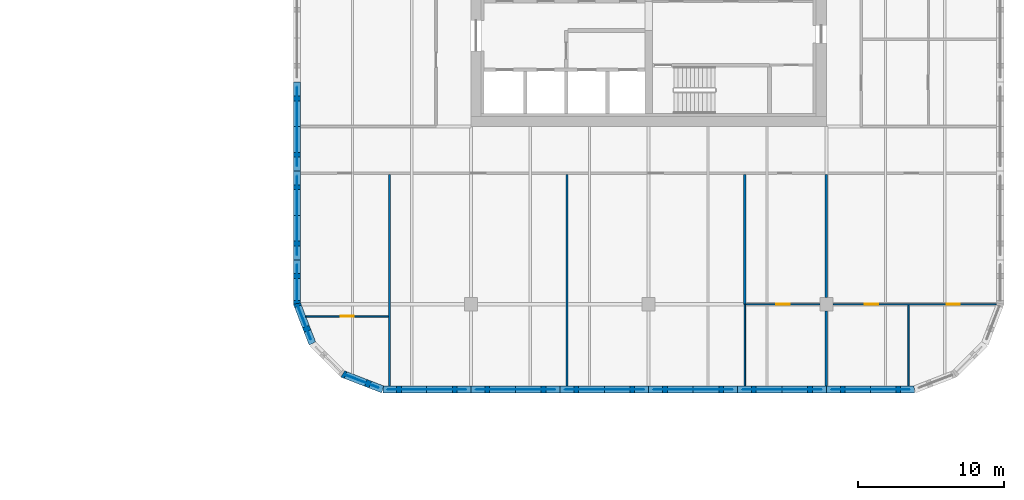
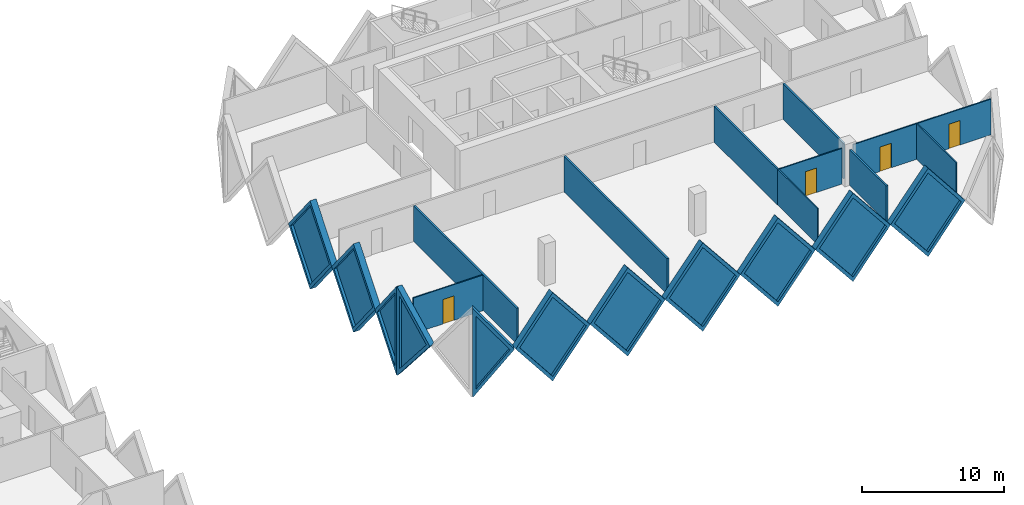
# One storey, part 11 of 18: 21 walls, 11 plates, 4 doors, 15 openings.
"""IFC4 building model written with IfcOpenShell, lengths in metres."""

from ifc_helpers import new_model, si_unit, direction, frame, frame_2d, origin, place, context, subcontext, project, spatial, polyline, rectangle, outline, extrude, faceted_brep, source, transform, mapped, material, layer, layer_set, type_object, element, fill, save


model = new_model("IFC4")

# Units and contexts
model_context = context("Model", 3, precision=1e-05, world=origin(), true_north=direction((0.0, 1.0)))
body_context = subcontext(model_context, "Body", "Model", "MODEL_VIEW")
ifc_project = project(units=[si_unit("LENGTHUNIT", "METRE"), si_unit("AREAUNIT", "SQUARE_METRE"), si_unit("VOLUMEUNIT", "CUBIC_METRE"), si_unit("PLANEANGLEUNIT", "RADIAN"), si_unit("MASSUNIT", "GRAM", prefix="KILO")], contexts=[model_context])

# Site, building, storey
site_placement = place(None, origin())
site = spatial("IfcSite", under=ifc_project, at=site_placement, CompositionType="ELEMENT")
building_placement = place(site_placement, origin())
building = spatial("IfcBuilding", under=site, at=building_placement, Name="Tessera Gate Towers", CompositionType="ELEMENT")
storey_placement = place(building_placement, frame((0.0, 0.0, 37.199951171875)))
storey = spatial("IfcBuildingStorey", under=building, at=storey_placement, Name="L08", CompositionType="ELEMENT", Elevation=37.199951171875)

# Wall
ifc_material_1 = material(Name="Glass", Category="glass")
ifc_layer_1 = layer(ifc_material_1, 0.10009765625)
ifc_layer_set_1 = layer_set([ifc_layer_1], Name="GLAZED PARTITION 100")
wall_type_1 = type_object("IfcWallType", Name="GLAZED PARTITION 100", PredefinedType="PARTITIONING", material=ifc_layer_set_1)
wall_1_placement = place(storey_placement, frame((116.39990234375, 18.800048828125, 0.0), z_axis=(0.0, 0.0, 1.0), x_axis=(0.0, 1.0, 0.0)))
element("IfcWall", 1, at=wall_1_placement, inside=storey, type_object=wall_type_1, Name="T2-L08-PW-003", PredefinedType="PARTITIONING", context=body_context, shape_type="SweptSolid", body=[
    extrude(rectangle(XDim=5.598876953125, YDim=0.10009765625, at=frame_2d((2.79931640625, 0.0))), origin(), (0.0, 0.0, 1.0), 3.067138671875),
])

# Wall, opening, door
wall_2_placement = place(storey_placement, frame((121.549072265625, 24.39990234375, 0.0), z_axis=(0.0, 0.0, 1.0), x_axis=(-1.0, 0.0, 0.0)))
wall_2 = element("IfcWall", 2, at=wall_2_placement, inside=storey, type_object=wall_type_1, Name="T2-L08-PW-008", PredefinedType="PARTITIONING", context=body_context, shape_type="SweptSolid", body=[
    extrude(rectangle(XDim=5.072998046875, YDim=0.10009765625, at=frame_2d((2.53662109375, 0.0))), origin(), (0.0, 0.0, 1.0), 3.067138671875),
])
shared_shape_1 = source(origin(), body_context, "Body", "SweptSolid", [
    extrude(rectangle(XDim=0.89990234375, YDim=2.10009765625, at=frame_2d((0.449951171875, 1.050048828125))), frame((0.0, 0.06005859375, 0.0), z_axis=(0.0, -1.0, 0.0), x_axis=(1.0, 0.0, 0.0)), (0.0, 0.0, 1.0), 0.1201171875),
])
opening_1_placement = place(wall_2_placement, frame((2.072998046875, 0.0, 0.0)))
opening_1 = element("IfcOpeningElement", 3, at=opening_1_placement, cuts=wall_2, Name="Opening D690-B04-01", PredefinedType="OPENING", context=body_context, shape_type="MappedRepresentation", body=[
    mapped(shared_shape_1, transform((0.0, 0.0, 0.0), scale=1.0)),
])
ifc_material_2 = material(Name="Glass in aluminium frame", Category="aluminium")
door_type_1 = type_object("IfcDoorType", Name="GLAZED DOOR 900 NOT RATED", OperationType="NOTDEFINED", PredefinedType="DOOR", material=ifc_material_2)
shared_shape_2 = source(origin(), body_context, "Body", "SweptSolid", [
    extrude(rectangle(XDim=0.89990234375, YDim=2.10009765625, at=frame_2d((0.449951171875, 1.050048828125))), frame((0.0, 0.02490234375, 0.0), z_axis=(0.0, -1.0, 0.0), x_axis=(1.0, 0.0, 0.0)), (0.0, 0.0, 1.0), 0.050048828125),
])
door_1_placement = place(opening_1_placement, origin())
door_1 = element("IfcDoor", 4, at=door_1_placement, inside=storey, type_object=door_type_1, Name="T2-L08-PD-002", OperationType="SINGLE_SWING_RIGHT", OverallHeight=2.10009765625, OverallWidth=0.89990234375, PredefinedType="DOOR", context=body_context, shape_type="MappedRepresentation", body=[
    mapped(shared_shape_2, transform((0.0, 0.0, 0.0), scale=1.0)),
])
fill(opening_1, door_1)

# Wall
ifc_material_3 = material(Name="Gypsum board on steel studs", Category="steel")
ifc_layer_2 = layer(ifc_material_3, 0.10009765625)
ifc_layer_set_2 = layer_set([ifc_layer_2], Name="PARTITION 100")
wall_type_2 = type_object("IfcWallType", Name="PARTITION 100", PredefinedType="PARTITIONING", material=ifc_layer_set_2)
wall_3_placement = place(storey_placement, frame((127.652099609375, 18.800048828125, 0.0), z_axis=(0.0, 0.0, 1.0), x_axis=(0.0, 1.0, 0.0)))
element("IfcWall", 5, at=wall_3_placement, inside=storey, type_object=wall_type_2, Name="T2-L08-PW-005", PredefinedType="PARTITIONING", context=body_context, shape_type="SweptSolid", body=[
    extrude(rectangle(XDim=5.549072265625, YDim=0.10009765625, at=frame_2d((2.7744140625, 0.0))), origin(), (0.0, 0.0, 1.0), 3.067138671875),
])

# Wall, opening, door
wall_4_placement = place(storey_placement, frame((91.924072265625, 23.574951171875, 0.0), z_axis=(0.0, 0.0, 1.0), x_axis=(-1.0, 0.0, 0.0)))
wall_4 = element("IfcWall", 6, at=wall_4_placement, inside=storey, type_object=wall_type_2, Name="T2-L08-PW-006", PredefinedType="PARTITIONING", context=body_context, shape_type="SweptSolid", body=[
    extrude(rectangle(XDim=5.669921875, YDim=0.10009765625, at=frame_2d((2.8349609375, 0.0))), origin(), (0.0, 0.0, 1.0), 3.067138671875),
])
opening_2_placement = place(wall_4_placement, frame((2.369873046875, 0.0, 0.0)))
opening_2 = element("IfcOpeningElement", 7, at=opening_2_placement, cuts=wall_4, Name="Opening D190-B04-02", PredefinedType="OPENING", context=body_context, shape_type="MappedRepresentation", body=[
    mapped(shared_shape_1, transform((0.0, 0.0, 0.0), scale=1.0)),
])
ifc_material_4 = material(Name="Timber door leaf in steel frame", Category="steel")
door_type_2 = type_object("IfcDoorType", Name="INTERNAL DOOR 900 NOT RATED", OperationType="NOTDEFINED", PredefinedType="DOOR", material=ifc_material_4)
door_2_placement = place(opening_2_placement, origin())
door_2 = element("IfcDoor", 8, at=door_2_placement, inside=storey, type_object=door_type_2, Name="T2-L08-PD-006", OperationType="SINGLE_SWING_RIGHT", OverallHeight=2.10009765625, OverallWidth=0.89990234375, PredefinedType="DOOR", context=body_context, shape_type="MappedRepresentation", body=[
    mapped(shared_shape_2, transform((0.0, 0.0, 0.0), scale=1.0)),
])
fill(opening_2, door_2)

# Wall, openings, doors
wall_5_placement = place(storey_placement, frame((133.6640625, 24.39990234375, 0.0), z_axis=(0.0, 0.0, 1.0), x_axis=(-1.0, 0.0, 0.0)))
wall_5 = element("IfcWall", 9, at=wall_5_placement, inside=storey, type_object=wall_type_2, Name="T2-L08-PW-009", PredefinedType="PARTITIONING", context=body_context, shape_type="SweptSolid", body=[
    extrude(rectangle(XDim=11.213134765625, YDim=0.10009765625, at=frame_2d((5.6064453125, 0.0))), origin(), (0.0, 0.0, 1.0), 3.067138671875),
])
opening_3_placement = place(wall_5_placement, frame((8.113037109375, 0.0, 0.0)))
opening_3 = element("IfcOpeningElement", 10, at=opening_3_placement, cuts=wall_5, Name="Opening D190-B04-01", PredefinedType="OPENING", context=body_context, shape_type="MappedRepresentation", body=[
    mapped(shared_shape_1, transform((0.0, 0.0, 0.0), scale=1.0)),
])
opening_4_placement = place(wall_5_placement, frame((2.511962890625, 0.0, 0.0)))
opening_4 = element("IfcOpeningElement", 11, at=opening_4_placement, cuts=wall_5, Name="Opening D190-B04-03", PredefinedType="OPENING", context=body_context, shape_type="MappedRepresentation", body=[
    mapped(shared_shape_1, transform((0.0, 0.0, 0.0), scale=1.0)),
])
door_3_placement = place(opening_3_placement, origin())
door_3 = element("IfcDoor", 12, at=door_3_placement, inside=storey, type_object=door_type_2, Name="T2-L08-PD-003", OperationType="SINGLE_SWING_RIGHT", OverallHeight=2.10009765625, OverallWidth=0.89990234375, PredefinedType="DOOR", context=body_context, shape_type="MappedRepresentation", body=[
    mapped(shared_shape_2, transform((0.0, 0.0, 0.0), scale=1.0)),
])
fill(opening_3, door_3)
door_4_placement = place(opening_4_placement, origin())
door_4 = element("IfcDoor", 13, at=door_4_placement, inside=storey, type_object=door_type_2, Name="T2-L08-PD-008", OperationType="SINGLE_SWING_RIGHT", OverallHeight=2.10009765625, OverallWidth=0.89990234375, PredefinedType="DOOR", context=body_context, shape_type="MappedRepresentation", body=[
    mapped(shared_shape_2, transform((0.0, 0.0, 0.0), scale=1.0)),
])
fill(opening_4, door_4)

# Walls
ifc_material_5 = material(Name="Gypsum board on steel studs, mineral wool", Category="steel")
ifc_layer_3 = layer(ifc_material_5, 0.14990234375)
ifc_layer_set_3 = layer_set([ifc_layer_3], Name="TENANCY WALL 150")
wall_type_3 = type_object("IfcWallType", Name="TENANCY WALL 150", PredefinedType="PARTITIONING", material=ifc_layer_set_3)
for number, where, z_axis, x_axis, name in (
    (14, (92.0, 18.800048828125, 0.0), (0.0, 0.0, 1.0), (0.0, 1.0, 0.0), "T2-L08-PW-001"),
    (15, (104.199951171875, 18.800048828125, 0.0), (0.0, 0.0, 1.0), (0.0, 1.0, 0.0), "T2-L08-PW-002"),
):
    element("IfcWall", number, at=place(storey_placement, frame(where, z_axis=z_axis, x_axis=x_axis)), inside=storey, type_object=wall_type_3, Name=name, PredefinedType="PARTITIONING", context=body_context, shape_type="SweptSolid", body=[
        extrude(rectangle(XDim=14.52392578125, YDim=0.14990234375, at=frame_2d((7.261962890625, 0.0))), origin(), (0.0, 0.0, 1.0), 3.067138671875),
    ])
wall_6_placement = place(storey_placement, frame((122.0, 18.800048828125, 0.0), z_axis=(0.0, 0.0, 1.0), x_axis=(0.0, 1.0, 0.0)))
element("IfcWall", 16, at=wall_6_placement, inside=storey, type_object=wall_type_3, Name="T2-L08-PW-004", PredefinedType="PARTITIONING", context=body_context, shape_type="SweptSolid", body=[
    extrude(rectangle(XDim=5.14892578125, YDim=0.14990234375, at=frame_2d((2.574462890625, 0.0))), origin(), (0.0, 0.0, 1.0), 3.067138671875),
])
wall_7_placement = place(storey_placement, frame((116.39990234375, 24.39990234375, 0.0), z_axis=(0.0, 0.0, 1.0), x_axis=(0.0, 1.0, 0.0)))
element("IfcWall", 17, at=wall_7_placement, inside=storey, type_object=wall_type_3, Name="T2-L08-PW-007", PredefinedType="PARTITIONING", context=body_context, shape_type="SweptSolid", body=[
    extrude(rectangle(XDim=8.924072265625, YDim=0.14990234375, at=frame_2d((4.4619140625, 0.0))), origin(), (0.0, 0.0, 1.0), 3.067138671875),
])
wall_8_placement = place(storey_placement, frame((122.0, 24.85107421875, 0.0), z_axis=(0.0, 0.0, 1.0), x_axis=(0.0, 1.0, 0.0)))
element("IfcWall", 18, at=wall_8_placement, inside=storey, type_object=wall_type_3, Name="T2-L08-PW-010", PredefinedType="PARTITIONING", context=body_context, shape_type="SweptSolid", body=[
    extrude(rectangle(XDim=8.472900390625, YDim=0.14990234375, at=frame_2d((4.236328125, 0.0))), origin(), (0.0, 0.0, 1.0), 3.067138671875),
])

# Wall, opening, plate
ifc_material_6 = material(Name="Precast concrete C60/75 white", Category="concrete")
ifc_layer_4 = layer(ifc_material_6, 0.5)
ifc_layer_set_4 = layer_set([ifc_layer_4], Name="TS1 tessera")
wall_type_4 = type_object("IfcWallType", Name="TS1 tessera", PredefinedType="SOLIDWALL", material=ifc_layer_set_4)
shared_shape_3 = source(origin(), body_context, "Body", "Brep", [
    faceted_brep([(3.00341796875, -0.25, 0.0), (6.053466796875, -0.25, 3.800048828125), (3.00341796875, -0.25, 7.60009765625), (0.0, -0.25, 3.800048828125), (0.046630859375, 0.25, 3.85888671875), (3.00341796875, 0.25, 7.60009765625), (6.053466796875, 0.25, 3.800048828125), (3.00341796875, 0.25, 0.0), (0.046630859375, 0.25, 3.7412109375), (0.0, 0.0, 3.800048828125)], [[[0, 1, 2, 3]], [[4, 5, 6, 7, 8]], [[7, 6, 1, 0]], [[6, 5, 2, 1]], [[5, 4, 9, 3, 2]], [[8, 7, 0, 3, 9]], [[8, 9, 4]]]),
])
wall_9_placement = place(storey_placement, frame((91.546630859375, 18.550048828125, -3.800048828125), z_axis=(0.0, 0.0, 1.0), x_axis=(1.0, 0.0, 0.0)))
wall_9 = element("IfcWall", 19, at=wall_9_placement, inside=storey, type_object=wall_type_4, Name="Precast tessera T2 TS1-0054", PredefinedType="SOLIDWALL", context=body_context, shape_type="MappedRepresentation", body=[
    mapped(shared_shape_3, transform((0.0, 0.0, 0.0), scale=1.0)),
])
shared_shape_4 = source(origin(), body_context, "Body", "SweptSolid", [
    extrude(outline(polyline([(3.0048828125, 0.4013671875), (5.73291015625, 3.800048828125), (3.0048828125, 7.19873046875), (0.318603515625, 3.800048828125), (3.0048828125, 0.4013671875)])), frame((0.0, 0.260009765625, 0.0), z_axis=(0.0, -1.0, 0.0), x_axis=(1.0, 0.0, 0.0)), (0.0, 0.0, 1.0), 0.52001953125),
])
opening_5_placement = place(wall_9_placement, origin())
opening_5 = element("IfcOpeningElement", 20, at=opening_5_placement, cuts=wall_9, Name="Opening T2-PL2-0102", PredefinedType="OPENING", context=body_context, shape_type="MappedRepresentation", body=[
    mapped(shared_shape_4, transform((0.0, 0.0, 0.0), scale=1.0)),
])
ifc_material_7 = material(Name="Low-e laminated glass", Category="glass")
ifc_layer_5 = layer(ifc_material_7, 0.06005859375)
ifc_layer_set_5 = layer_set([ifc_layer_5], Name="PL2 rhombic pane")
plate_type = type_object("IfcPlateType", Name="PL2 rhombic pane", PredefinedType="SHEET", material=ifc_layer_set_5)
shared_shape_5 = source(origin(), body_context, "Body", "SweptSolid", [
    extrude(outline(polyline([(3.0048828125, 0.4013671875), (5.73291015625, 3.800048828125), (3.0048828125, 7.19873046875), (0.318603515625, 3.800048828125), (3.0048828125, 0.4013671875)])), frame((0.0, 0.030029296875, 0.0), z_axis=(0.0, -1.0, 0.0), x_axis=(1.0, 0.0, 0.0)), (0.0, 0.0, 1.0), 0.06005859375),
])
plate_1_placement = place(opening_5_placement, origin())
plate_1 = element("IfcPlate", 21, at=plate_1_placement, inside=storey, type_object=plate_type, Name="Glass pane T2 PL2-0102", PredefinedType="SHEET", context=body_context, shape_type="MappedRepresentation", body=[
    mapped(shared_shape_5, transform((0.0, 0.0, 0.0), scale=1.0)),
])
fill(opening_5, plate_1)

shared_shape_6 = source(origin(), body_context, "Body", "Brep", [
    faceted_brep([(3.050048828125, -0.25, 0.0), (6.099853515625, -0.25, 3.7998046875), (6.099853515625, -0.25, 3.80029296875), (3.050048828125, -0.25, 7.60009765625), (0.0, -0.25, 3.800048828125), (0.0, 0.25, 3.800048828125), (3.050048828125, 0.25, 7.60009765625), (6.099853515625, 0.25, 3.80029296875), (6.099853515625, 0.25, 3.7998046875), (3.050048828125, 0.25, 0.0)], [[[0, 1, 2, 3, 4]], [[5, 6, 7, 8, 9]], [[9, 8, 1, 0]], [[7, 6, 3, 2]], [[6, 5, 4, 3]], [[5, 9, 0, 4]], [[1, 8, 7, 2]]]),
])
wall_10_placement = place(storey_placement, frame((97.60009765625, 18.550048828125, -3.800048828125), z_axis=(0.0, 0.0, 1.0), x_axis=(1.0, 0.0, 0.0)))
wall_10 = element("IfcWall", 22, at=wall_10_placement, inside=storey, type_object=wall_type_4, Name="Precast tessera T2 TS1-0055", PredefinedType="SOLIDWALL", context=body_context, shape_type="MappedRepresentation", body=[
    mapped(shared_shape_6, transform((0.0, 0.0, 0.0), scale=1.0)),
])
shared_shape_7 = source(origin(), body_context, "Body", "SweptSolid", [
    extrude(outline(polyline([(3.050048828125, 0.3994140625), (5.779541015625, 3.800048828125), (3.050048828125, 7.20068359375), (0.320556640625, 3.800048828125), (3.050048828125, 0.3994140625)])), frame((0.0, 0.260009765625, 0.0), z_axis=(0.0, -1.0, 0.0), x_axis=(1.0, 0.0, 0.0)), (0.0, 0.0, 1.0), 0.52001953125),
])
opening_6_placement = place(wall_10_placement, origin())
opening_6 = element("IfcOpeningElement", 23, at=opening_6_placement, cuts=wall_10, Name="Opening T2-PL2-0103", PredefinedType="OPENING", context=body_context, shape_type="MappedRepresentation", body=[
    mapped(shared_shape_7, transform((0.0, 0.0, 0.0), scale=1.0)),
])
shared_shape_8 = source(origin(), body_context, "Body", "SweptSolid", [
    extrude(outline(polyline([(3.050048828125, 0.3994140625), (5.779541015625, 3.800048828125), (3.050048828125, 7.20068359375), (0.320556640625, 3.800048828125), (3.050048828125, 0.3994140625)])), frame((0.0, 0.030029296875, 0.0), z_axis=(0.0, -1.0, 0.0), x_axis=(1.0, 0.0, 0.0)), (0.0, 0.0, 1.0), 0.06005859375),
])
plate_2_placement = place(opening_6_placement, origin())
plate_2 = element("IfcPlate", 24, at=plate_2_placement, inside=storey, type_object=plate_type, Name="Glass pane T2 PL2-0103", PredefinedType="SHEET", context=body_context, shape_type="MappedRepresentation", body=[
    mapped(shared_shape_8, transform((0.0, 0.0, 0.0), scale=1.0)),
])
fill(opening_6, plate_2)

wall_11_placement = place(storey_placement, frame((109.800048828125, 18.550048828125, -3.800048828125), z_axis=(0.0, 0.0, 1.0), x_axis=(1.0, 0.0, 0.0)))
wall_11 = element("IfcWall", 25, at=wall_11_placement, inside=storey, type_object=wall_type_4, Name="Precast tessera T2 TS1-0057", PredefinedType="SOLIDWALL", context=body_context, shape_type="MappedRepresentation", body=[
    mapped(shared_shape_6, transform((0.0, 0.0, 0.0), scale=1.0)),
])
opening_7_placement = place(wall_11_placement, origin())
opening_7 = element("IfcOpeningElement", 26, at=opening_7_placement, cuts=wall_11, Name="Opening T2-PL2-0105", PredefinedType="OPENING", context=body_context, shape_type="MappedRepresentation", body=[
    mapped(shared_shape_7, transform((0.0, 0.0, 0.0), scale=1.0)),
])
plate_3_placement = place(opening_7_placement, origin())
plate_3 = element("IfcPlate", 27, at=plate_3_placement, inside=storey, type_object=plate_type, Name="Glass pane T2 PL2-0105", PredefinedType="SHEET", context=body_context, shape_type="MappedRepresentation", body=[
    mapped(shared_shape_8, transform((0.0, 0.0, 0.0), scale=1.0)),
])
fill(opening_7, plate_3)

wall_12_placement = place(storey_placement, frame((85.64990234375, 39.64990234375, -3.800048828125), z_axis=(0.0, 0.0, 1.0), x_axis=(0.0, -1.0, 0.0)))
wall_12 = element("IfcWall", 28, at=wall_12_placement, inside=storey, type_object=wall_type_4, Name="Precast tessera T2 TS1-0070", PredefinedType="SOLIDWALL", context=body_context, shape_type="MappedRepresentation", body=[
    mapped(shared_shape_6, transform((0.0, 0.0, 0.0), scale=1.0)),
])
opening_8_placement = place(wall_12_placement, origin())
opening_8 = element("IfcOpeningElement", 29, at=opening_8_placement, cuts=wall_12, Name="Opening T2-PL2-0130", PredefinedType="OPENING", context=body_context, shape_type="MappedRepresentation", body=[
    mapped(shared_shape_7, transform((0.0, 0.0, 0.0), scale=1.0)),
])
plate_4_placement = place(opening_8_placement, origin())
plate_4 = element("IfcPlate", 30, at=plate_4_placement, inside=storey, type_object=plate_type, Name="Glass pane T2 PL2-0130", PredefinedType="SHEET", context=body_context, shape_type="MappedRepresentation", body=[
    mapped(shared_shape_8, transform((0.0, 0.0, 0.0), scale=1.0)),
])
fill(opening_8, plate_4)

shared_shape_9 = source(origin(), body_context, "Body", "SweptSolid", [
    extrude(outline(polyline([(3.050048828125, 0.0), (6.10009765625, 3.800048828125), (3.050048828125, 7.60009765625), (0.0, 3.800048828125), (3.050048828125, 0.0)])), frame((0.0, 0.25, 0.0), z_axis=(0.0, -1.0, 0.0), x_axis=(1.0, 0.0, 0.0)), (0.0, 0.0, 1.0), 0.5),
])
wall_13_placement = place(storey_placement, frame((103.699951171875, 18.550048828125, -3.800048828125), z_axis=(0.0, 0.0, 1.0), x_axis=(1.0, 0.0, 0.0)))
wall_13 = element("IfcWall", 31, at=wall_13_placement, inside=storey, type_object=wall_type_4, Name="Precast tessera T2 TS1-0056", PredefinedType="SOLIDWALL", context=body_context, shape_type="MappedRepresentation", body=[
    mapped(shared_shape_9, transform((0.0, 0.0, 0.0), scale=1.0)),
])
opening_9_placement = place(wall_13_placement, origin())
opening_9 = element("IfcOpeningElement", 32, at=opening_9_placement, cuts=wall_13, Name="Opening T2-PL2-0104", PredefinedType="OPENING", context=body_context, shape_type="MappedRepresentation", body=[
    mapped(shared_shape_7, transform((0.0, 0.0, 0.0), scale=1.0)),
])
plate_5_placement = place(opening_9_placement, origin())
plate_5 = element("IfcPlate", 33, at=plate_5_placement, inside=storey, type_object=plate_type, Name="Glass pane T2 PL2-0104", PredefinedType="SHEET", context=body_context, shape_type="MappedRepresentation", body=[
    mapped(shared_shape_8, transform((0.0, 0.0, 0.0), scale=1.0)),
])
fill(opening_9, plate_5)

wall_14_placement = place(storey_placement, frame((115.89990234375, 18.550048828125, -3.800048828125), z_axis=(0.0, 0.0, 1.0), x_axis=(1.0, 0.0, 0.0)))
wall_14 = element("IfcWall", 34, at=wall_14_placement, inside=storey, type_object=wall_type_4, Name="Precast tessera T2 TS1-0058", PredefinedType="SOLIDWALL", context=body_context, shape_type="MappedRepresentation", body=[
    mapped(shared_shape_9, transform((0.0, 0.0, 0.0), scale=1.0)),
])
opening_10_placement = place(wall_14_placement, origin())
opening_10 = element("IfcOpeningElement", 35, at=opening_10_placement, cuts=wall_14, Name="Opening T2-PL2-0106", PredefinedType="OPENING", context=body_context, shape_type="MappedRepresentation", body=[
    mapped(shared_shape_7, transform((0.0, 0.0, 0.0), scale=1.0)),
])
plate_6_placement = place(opening_10_placement, origin())
plate_6 = element("IfcPlate", 36, at=plate_6_placement, inside=storey, type_object=plate_type, Name="Glass pane T2 PL2-0106", PredefinedType="SHEET", context=body_context, shape_type="MappedRepresentation", body=[
    mapped(shared_shape_8, transform((0.0, 0.0, 0.0), scale=1.0)),
])
fill(opening_10, plate_6)

wall_15_placement = place(storey_placement, frame((85.64990234375, 33.550048828125, -3.800048828125), z_axis=(0.0, 0.0, 1.0), x_axis=(0.0, -1.0, 0.0)))
wall_15 = element("IfcWall", 37, at=wall_15_placement, inside=storey, type_object=wall_type_4, Name="Precast tessera T2 TS1-0071", PredefinedType="SOLIDWALL", context=body_context, shape_type="MappedRepresentation", body=[
    mapped(shared_shape_9, transform((0.0, 0.0, 0.0), scale=1.0)),
])
opening_11_placement = place(wall_15_placement, origin())
opening_11 = element("IfcOpeningElement", 38, at=opening_11_placement, cuts=wall_15, Name="Opening T2-PL2-0131", PredefinedType="OPENING", context=body_context, shape_type="MappedRepresentation", body=[
    mapped(shared_shape_7, transform((0.0, 0.0, 0.0), scale=1.0)),
])
plate_7_placement = place(opening_11_placement, origin())
plate_7 = element("IfcPlate", 39, at=plate_7_placement, inside=storey, type_object=plate_type, Name="Glass pane T2 PL2-0131", PredefinedType="SHEET", context=body_context, shape_type="MappedRepresentation", body=[
    mapped(shared_shape_8, transform((0.0, 0.0, 0.0), scale=1.0)),
])
fill(opening_11, plate_7)

shared_shape_10 = source(origin(), body_context, "Body", "Brep", [
    faceted_brep([(3.050048828125, -0.25, 0.0), (6.053466796875, -0.25, 3.800048828125), (3.050048828125, -0.25, 7.60009765625), (0.0, -0.25, 3.800048828125), (0.0, 0.25, 3.800048828125), (3.050048828125, 0.25, 7.60009765625), (6.0068359375, 0.25, 3.85888671875), (6.0068359375, 0.25, 3.7412109375), (3.050048828125, 0.25, 0.0), (6.053466796875, 0.0, 3.800048828125)], [[[0, 1, 2, 3]], [[4, 5, 6, 7, 8]], [[8, 7, 9, 1, 0]], [[6, 5, 2, 1, 9]], [[5, 4, 3, 2]], [[4, 8, 0, 3]], [[9, 7, 6]]]),
])
wall_16_placement = place(storey_placement, frame((122.0, 18.550048828125, -3.800048828125), z_axis=(0.0, 0.0, 1.0), x_axis=(1.0, 0.0, 0.0)))
wall_16 = element("IfcWall", 40, at=wall_16_placement, inside=storey, type_object=wall_type_4, Name="Precast tessera T2 TS1-0059", PredefinedType="SOLIDWALL", context=body_context, shape_type="MappedRepresentation", body=[
    mapped(shared_shape_10, transform((0.0, 0.0, 0.0), scale=1.0)),
])
shared_shape_11 = source(origin(), body_context, "Body", "SweptSolid", [
    extrude(outline(polyline([(3.048583984375, 0.4013671875), (5.73486328125, 3.800048828125), (3.048583984375, 7.19873046875), (0.320556640625, 3.800048828125), (3.048583984375, 0.4013671875)])), frame((0.0, 0.260009765625, 0.0), z_axis=(0.0, -1.0, 0.0), x_axis=(1.0, 0.0, 0.0)), (0.0, 0.0, 1.0), 0.52001953125),
])
opening_12_placement = place(wall_16_placement, origin())
opening_12 = element("IfcOpeningElement", 41, at=opening_12_placement, cuts=wall_16, Name="Opening T2-PL2-0107", PredefinedType="OPENING", context=body_context, shape_type="MappedRepresentation", body=[
    mapped(shared_shape_11, transform((0.0, 0.0, 0.0), scale=1.0)),
])
shared_shape_12 = source(origin(), body_context, "Body", "SweptSolid", [
    extrude(outline(polyline([(3.048583984375, 0.4013671875), (5.73486328125, 3.800048828125), (3.048583984375, 7.19873046875), (0.320556640625, 3.800048828125), (3.048583984375, 0.4013671875)])), frame((0.0, 0.030029296875, 0.0), z_axis=(0.0, -1.0, 0.0), x_axis=(1.0, 0.0, 0.0)), (0.0, 0.0, 1.0), 0.06005859375),
])
plate_8_placement = place(opening_12_placement, origin())
plate_8 = element("IfcPlate", 42, at=plate_8_placement, inside=storey, type_object=plate_type, Name="Glass pane T2 PL2-0107", PredefinedType="SHEET", context=body_context, shape_type="MappedRepresentation", body=[
    mapped(shared_shape_12, transform((0.0, 0.0, 0.0), scale=1.0)),
])
fill(opening_12, plate_8)

ifc_material_8 = material(Name="Precast concrete C60/75 white", Category="concrete")
ifc_layer_6 = layer(ifc_material_8, 0.5)
ifc_layer_set_6 = layer_set([ifc_layer_6], Name="TS3 corner tessera")
wall_type_5 = type_object("IfcWallType", Name="TS3 corner tessera", PredefinedType="SOLIDWALL", material=ifc_layer_set_6)
shared_shape_13 = source(origin(), body_context, "Body", "Brep", [
    faceted_brep([(3.00341796875, -0.25, 0.0), (3.050048828125, -0.25, 0.06005859375), (3.050048828125, -0.25, 7.5400390625), (3.00341796875, -0.25, 7.60009765625), (0.0, -0.25, 3.800048828125), (0.0, 0.25, 3.800048828125), (2.956787109375, 0.25, 7.541259765625), (2.956787109375, 0.25, 0.058837890625), (3.00341796875, 0.000244140625, 0.0), (3.00341796875, 0.000244140625, 7.60009765625)], [[[0, 1, 2, 3, 4]], [[5, 6, 7]], [[1, 0, 8]], [[9, 3, 2]], [[6, 5, 4, 3, 9]], [[5, 7, 8, 0, 4]], [[1, 8, 7, 6, 9, 2]]]),
])
wall_17_placement = place(storey_placement, frame((85.64990234375, 27.449951171875, -3.800048828125), z_axis=(0.0, 0.0, 1.0), x_axis=(0.0, -1.0, 0.0)))
wall_17 = element("IfcWall", 43, at=wall_17_placement, inside=storey, type_object=wall_type_5, Name="Precast corner tessera T2 TS3-0109", PredefinedType="SOLIDWALL", context=body_context, shape_type="MappedRepresentation", body=[
    mapped(shared_shape_13, transform((0.0, 0.0, 0.0), scale=1.0)),
])
shared_shape_14 = source(origin(), body_context, "Body", "SweptSolid", [
    extrude(outline(polyline([(2.803466796875, 6.94384765625), (0.318603515625, 3.800048828125), (2.803466796875, 0.65625), (2.803466796875, 6.94384765625)])), frame((0.0, 0.260009765625, 0.0), z_axis=(0.0, -1.0, 0.0), x_axis=(1.0, 0.0, 0.0)), (0.0, 0.0, 1.0), 0.52001953125),
])
opening_13_placement = place(wall_17_placement, origin())
opening_13 = element("IfcOpeningElement", 44, at=opening_13_placement, cuts=wall_17, Name="Opening T2-PL2-0132", PredefinedType="OPENING", context=body_context, shape_type="MappedRepresentation", body=[
    mapped(shared_shape_14, transform((0.0, 0.0, 0.0), scale=1.0)),
])
shared_shape_15 = source(origin(), body_context, "Body", "SweptSolid", [
    extrude(outline(polyline([(2.803466796875, 6.94384765625), (0.318603515625, 3.800048828125), (2.803466796875, 0.65625), (2.803466796875, 6.94384765625)])), frame((0.0, 0.030029296875, 0.0), z_axis=(0.0, -1.0, 0.0), x_axis=(1.0, 0.0, 0.0)), (0.0, 0.0, 1.0), 0.06005859375),
])
plate_9_placement = place(opening_13_placement, origin())
plate_9 = element("IfcPlate", 45, at=plate_9_placement, inside=storey, type_object=plate_type, Name="Glass pane T2 PL2-0132", PredefinedType="SHEET", context=body_context, shape_type="MappedRepresentation", body=[
    mapped(shared_shape_15, transform((0.0, 0.0, 0.0), scale=1.0)),
])
fill(opening_13, plate_9)

shared_shape_16 = source(origin(), body_context, "Body", "Brep", [
    faceted_brep([(0.046630859375, -0.25, 0.0), (2.9970703125, -0.25, 3.800048828125), (0.046630859375, -0.25, 7.60009765625), (0.0, -0.25, 7.541259765625), (0.0, -0.25, 0.058837890625), (0.09326171875, 0.25, 7.5400390625), (2.9443359375, 0.25, 3.8681640625), (2.9443359375, 0.25, 3.73193359375), (0.09326171875, 0.25, 0.06005859375), (2.9970703125, 0.00048828125, 3.800048828125), (0.046630859375, 0.0, 0.0), (0.046630859375, 0.0, 7.60009765625)], [[[0, 1, 2, 3, 4]], [[5, 6, 7, 8]], [[8, 7, 9, 1, 0, 10]], [[6, 5, 11, 2, 1, 9]], [[3, 2, 11]], [[10, 0, 4]], [[8, 10, 4, 3, 11, 5]], [[9, 7, 6]]]),
])
wall_18_placement = place(storey_placement, frame((85.63330078125, 24.489990234375, -3.800048828125), z_axis=(0.0, 0.0, 1.0), x_axis=(0.359901446078, -0.932990326376, 0.0)))
wall_18 = element("IfcWall", 46, at=wall_18_placement, inside=storey, type_object=wall_type_5, Name="Precast corner tessera T2 TS3-0110", PredefinedType="SOLIDWALL", context=body_context, shape_type="MappedRepresentation", body=[
    mapped(shared_shape_16, transform((0.0, 0.0, 0.0), scale=1.0)),
])
shared_shape_17 = source(origin(), body_context, "Body", "SweptSolid", [
    extrude(outline(polyline([(0.24658203125, 0.665283203125), (2.6806640625, 3.800048828125), (0.24658203125, 6.934814453125), (0.24658203125, 0.665283203125)])), frame((0.0, 0.260009765625, 0.0), z_axis=(0.0, -1.0, 0.0), x_axis=(1.0, 0.0, 0.0)), (0.0, 0.0, 1.0), 0.52001953125),
])
opening_14_placement = place(wall_18_placement, origin())
opening_14 = element("IfcOpeningElement", 47, at=opening_14_placement, cuts=wall_18, Name="Opening T2-PL2-0133", PredefinedType="OPENING", context=body_context, shape_type="MappedRepresentation", body=[
    mapped(shared_shape_17, transform((0.0, 0.0, 0.0), scale=1.0)),
])
shared_shape_18 = source(origin(), body_context, "Body", "SweptSolid", [
    extrude(outline(polyline([(0.24658203125, 0.665283203125), (2.6806640625, 3.800048828125), (0.24658203125, 6.934814453125), (0.24658203125, 0.665283203125)])), frame((0.0, 0.030029296875, 0.0), z_axis=(0.0, -1.0, 0.0), x_axis=(1.0, 0.0, 0.0)), (0.0, 0.0, 1.0), 0.06005859375),
])
plate_10_placement = place(opening_14_placement, origin())
plate_10 = element("IfcPlate", 48, at=plate_10_placement, inside=storey, type_object=plate_type, Name="Glass pane T2 PL2-0133", PredefinedType="SHEET", context=body_context, shape_type="MappedRepresentation", body=[
    mapped(shared_shape_18, transform((0.0, 0.0, 0.0), scale=1.0)),
])
fill(opening_14, plate_10)

shared_shape_19 = source(origin(), body_context, "Body", "Brep", [
    faceted_brep([(0.052978515625, -0.25, 0.0), (3.00341796875, -0.25, 3.800048828125), (0.052978515625, -0.25, 7.60009765625), (0.0, -0.25, 7.53173828125), (0.0, -0.25, 0.068359375), (0.10595703125, 0.25, 7.531982421875), (2.95703125, 0.25, 3.85986328125), (2.95703125, 0.25, 3.740234375), (0.10595703125, 0.25, 0.068115234375), (3.00341796875, 0.00048828125, 3.800048828125), (0.052978515625, 0.0, 0.0), (0.052978515625, 0.0, 7.60009765625)], [[[0, 1, 2, 3, 4]], [[5, 6, 7, 8]], [[8, 7, 9, 1, 0, 10]], [[6, 5, 11, 2, 1, 9]], [[3, 2, 11]], [[10, 0, 4]], [[8, 10, 4, 3, 11, 5]], [[9, 7, 6]]]),
])
wall_19_placement = place(storey_placement, frame((88.744384765625, 19.630859375, -3.800048828125), z_axis=(0.0, 0.0, 1.0), x_axis=(0.932997369089, -0.359883188373, 0.0)))
wall_19 = element("IfcWall", 49, at=wall_19_placement, inside=storey, type_object=wall_type_5, Name="Precast corner tessera T2 TS3-0112", PredefinedType="SOLIDWALL", context=body_context, shape_type="MappedRepresentation", body=[
    mapped(shared_shape_19, transform((0.0, 0.0, 0.0), scale=1.0)),
])
shared_shape_20 = source(origin(), body_context, "Body", "SweptSolid", [
    extrude(outline(polyline([(0.2529296875, 0.665283203125), (2.68701171875, 3.800048828125), (0.2529296875, 6.934814453125), (0.2529296875, 0.665283203125)])), frame((0.0, 0.260009765625, 0.0), z_axis=(0.0, -1.0, 0.0), x_axis=(1.0, 0.0, 0.0)), (0.0, 0.0, 1.0), 0.52001953125),
])
opening_15_placement = place(wall_19_placement, origin())
opening_15 = element("IfcOpeningElement", 50, at=opening_15_placement, cuts=wall_19, Name="Opening T2-PL2-0135", PredefinedType="OPENING", context=body_context, shape_type="MappedRepresentation", body=[
    mapped(shared_shape_20, transform((0.0, 0.0, 0.0), scale=1.0)),
])
shared_shape_21 = source(origin(), body_context, "Body", "SweptSolid", [
    extrude(outline(polyline([(0.2529296875, 0.665283203125), (2.68701171875, 3.800048828125), (0.2529296875, 6.934814453125), (0.2529296875, 0.665283203125)])), frame((0.0, 0.030029296875, 0.0), z_axis=(0.0, -1.0, 0.0), x_axis=(1.0, 0.0, 0.0)), (0.0, 0.0, 1.0), 0.06005859375),
])
plate_11_placement = place(opening_15_placement, origin())
plate_11 = element("IfcPlate", 51, at=plate_11_placement, inside=storey, type_object=plate_type, Name="Glass pane T2 PL2-0135", PredefinedType="SHEET", context=body_context, shape_type="MappedRepresentation", body=[
    mapped(shared_shape_21, transform((0.0, 0.0, 0.0), scale=1.0)),
])
fill(opening_15, plate_11)

save(model, "model.ifc")
